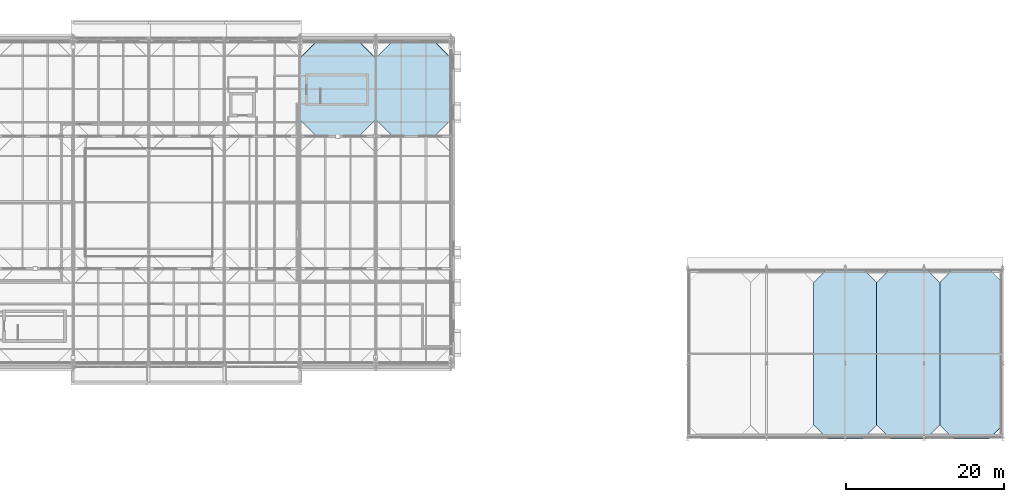
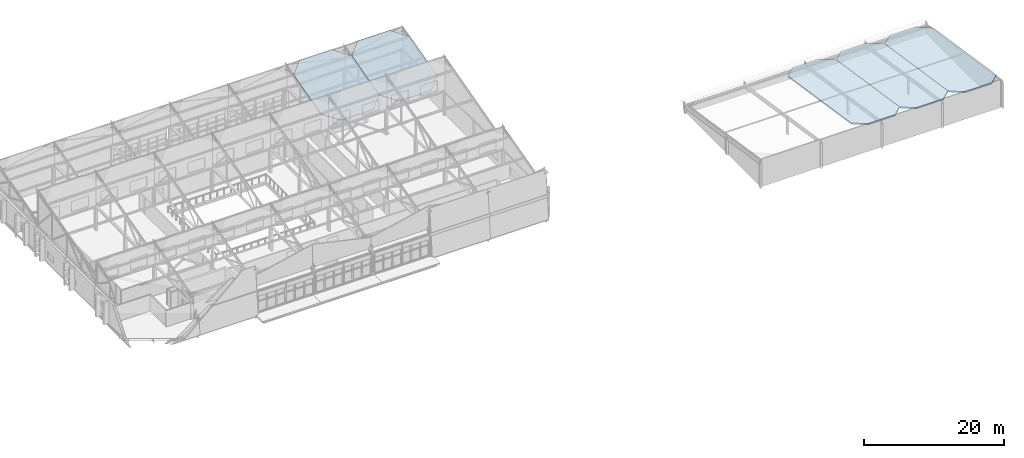
# One storey, part 65 of 89: 5 slabs, 2 elements without a shape of their own.
"""IFC4 building model written with IfcOpenShell, lengths in metres."""

from ifc_helpers import new_model, si_unit, direction, frame, origin, place, context, subcontext, project, spatial, polyline, outline, extrude, material, layer, layer_set, type_object, element, aggregate, save


model = new_model("IFC4")

# Units and contexts
model_context = context("Model", 3, precision=1e-05, world=origin(), true_north=direction((0.0, 1.0)))
body_context = subcontext(model_context, "Body", "Model", "MODEL_VIEW")
ifc_project = project(units=[si_unit("LENGTHUNIT", "METRE"), si_unit("AREAUNIT", "SQUARE_METRE"), si_unit("VOLUMEUNIT", "CUBIC_METRE"), si_unit("PLANEANGLEUNIT", "RADIAN"), si_unit("MASSUNIT", "GRAM", prefix="KILO")], contexts=[model_context])

# Site, building, storey
site_placement = place(None, origin())
site = spatial("IfcSite", under=ifc_project, at=site_placement, CompositionType="ELEMENT")
building_placement = place(site_placement, origin())
building = spatial("IfcBuilding", under=site, at=building_placement, Name="Zereglee Splitstone Museum", CompositionType="ELEMENT")
storey_placement = place(building_placement, frame((0.0, 0.0, 21.300048828125)))
storey = spatial("IfcBuildingStorey", under=building, at=storey_placement, Name="L04", CompositionType="ELEMENT", Elevation=21.300048828125)

# Roof, slabs
ifc_material_1 = material(Name="Standing-seam zinc roofing on Concrete C35/45", Category="concrete")
ifc_layer_1 = layer(ifc_material_1, 0.219970703125)
ifc_layer_set_1 = layer_set([ifc_layer_1], Name="Concrete C35/45")
roof_type = type_object("IfcRoofType", Name="RF-A1", PredefinedType="SHED_ROOF", material=ifc_layer_set_1)
roof_1_placement = place(storey_placement, origin())
roof_1 = element("IfcRoof", 1, at=roof_1_placement, inside=storey, type_object=roof_type, Name="Sloping Split-Rock Roof Assembly RF-V3", PredefinedType="SHED_ROOF")
ifc_material_2 = material(Name="Concrete C35/45", Category="concrete")
ifc_layer_2 = layer(ifc_material_2, 0.219970703125)
ifc_layer_set_2 = layer_set([ifc_layer_2], Name="Concrete C35/45")
slab_type_1 = type_object("IfcSlabType", Name="RS-02", PredefinedType="ROOF", material=ifc_layer_set_2)
slab_1_placement = place(storey_placement, frame((192.9599609375, 0.0, 4.949951171875), z_axis=(0.0, 0.151026348718, 0.988529737536), x_axis=(1.0, 0.0, 0.0)))
slab_1 = element("IfcSlab", 2, at=slab_1_placement, type_object=slab_type_1, Name="Split-Rock Roof Slab RF-V3 Panel 3", PredefinedType="ROOF", context=body_context, shape_type="SweptSolid", body=[
    extrude(outline(polyline([(0.0, 0.0), (4.47998046875, 0.0), (6.239990234375, 1.7804176972253993), (6.239990234375, 20.07027862309413), (4.47998046875, 21.850733191986695), (0.0, 21.850733191986695), (-1.760009765625, 20.07027862309413), (-1.760009765625, 1.7804176972253993), (0.0, 0.0)])), origin(), (0.0, 0.0, -1.0), 0.219970703125),
])
slab_2_placement = place(storey_placement, frame((200.9599609375, 0.0, 4.949951171875), z_axis=(0.0, 0.151026348718, 0.988529737536), x_axis=(1.0, 0.0, 0.0)))
slab_2 = element("IfcSlab", 3, at=slab_2_placement, type_object=slab_type_1, Name="Split-Rock Roof Slab RF-V3 Panel 4", PredefinedType="ROOF", context=body_context, shape_type="SweptSolid", body=[
    extrude(outline(polyline([(0.0, 0.0), (4.47998046875, 0.0), (6.239990234375, 1.7804176972253993), (6.239990234375, 20.07027862309413), (4.47998046875, 21.850733191986695), (0.0, 21.850733191986695), (-1.760009765625, 20.07027862309413), (-1.760009765625, 1.7804176972253993), (0.0, 0.0)])), origin(), (0.0, 0.0, -1.0), 0.219970703125),
])
slab_3_placement = place(storey_placement, frame((208.9599609375, 0.0, 4.949951171875), z_axis=(0.0, 0.151026348718, 0.988529737536), x_axis=(1.0, 0.0, 0.0)))
slab_3 = element("IfcSlab", 4, at=slab_3_placement, type_object=slab_type_1, Name="Split-Rock Roof Slab RF-V3 Panel 5", PredefinedType="ROOF", context=body_context, shape_type="SweptSolid", body=[
    extrude(outline(polyline([(0.0, 0.0), (4.47998046875, 0.0), (6.239990234375, 1.7804176972253993), (6.239990234375, 20.07027862309413), (4.47998046875, 21.850733191986695), (0.0, 21.850733191986695), (-1.760009765625, 20.07027862309413), (-1.760009765625, 1.7804176972253993), (0.0, 0.0)])), origin(), (0.0, 0.0, -1.0), 0.219970703125),
])
aggregate(roof_1, [slab_1, slab_2, slab_3])

roof_2_placement = place(storey_placement, origin())
roof_2 = element("IfcRoof", 5, at=roof_2_placement, inside=storey, type_object=roof_type, Name="Seven-Bay North-Light Sawtooth Roof Assembly V2", PredefinedType="SHED_ROOF")
ifc_layer_3 = layer(ifc_material_2, 0.159912109375)
ifc_layer_set_3 = layer_set([ifc_layer_3], Name="Concrete C35/45")
slab_type_2 = type_object("IfcSlabType", Name="RS-06", PredefinedType="ROOF", material=ifc_layer_set_3)
slab_4_placement = place(storey_placement, frame((128.112060546875, 38.39990234375, 5.0), z_axis=(0.0, -0.257656921176, 0.966236467419), x_axis=(1.0, 0.0, 0.0)))
slab_4 = element("IfcSlab", 6, at=slab_4_placement, type_object=slab_type_2, Name="Sawtooth Roof Slab Bay 6 Shed 3", PredefinedType="ROOF", context=body_context, shape_type="SweptSolid", body=[
    extrude(outline(polyline([(0.0, 0.0), (5.3759765625, 0.0), (7.488037109375, 2.1858706535140895), (7.488037109375, 10.233692419946298), (5.3759765625, 12.419327175885332), (0.0, 12.419327175885332), (-2.112060546875, 10.233692419946298), (-2.112060546875, 2.1858706535140895), (0.0, 0.0)])), origin(), (0.0, 0.0, -1.0), 0.159912109375),
])
slab_5_placement = place(storey_placement, frame((137.7119140625, 38.39990234375, 5.0), z_axis=(0.0, -0.257656921248, 0.9662364674), x_axis=(1.0, 0.0, 0.0)))
slab_5 = element("IfcSlab", 7, at=slab_5_placement, type_object=slab_type_2, Name="Sawtooth Roof Slab Bay 7 Shed 3", PredefinedType="ROOF", context=body_context, shape_type="SweptSolid", body=[
    extrude(outline(polyline([(0.0, 0.0), (5.3759765625, 0.0), (7.488037109375, 2.1858706535140913), (7.488037109375, 10.233692419946292), (5.3759765625, 12.419327175885334), (0.0, 12.419327175885334), (-2.11181640625, 10.233692419946292), (-2.11181640625, 2.1858706535140913), (0.0, 0.0)])), origin(), (0.0, 0.0, -1.0), 0.159912109375),
])
aggregate(roof_2, [slab_4, slab_5])

save(model, "model.ifc")
